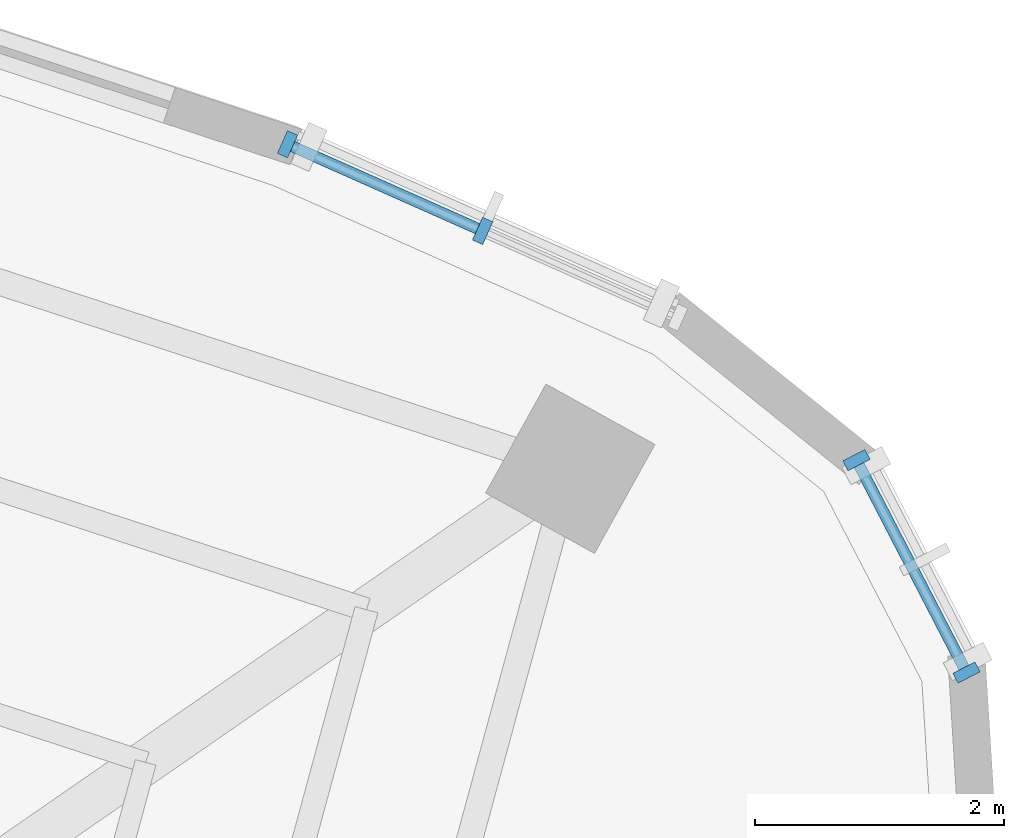
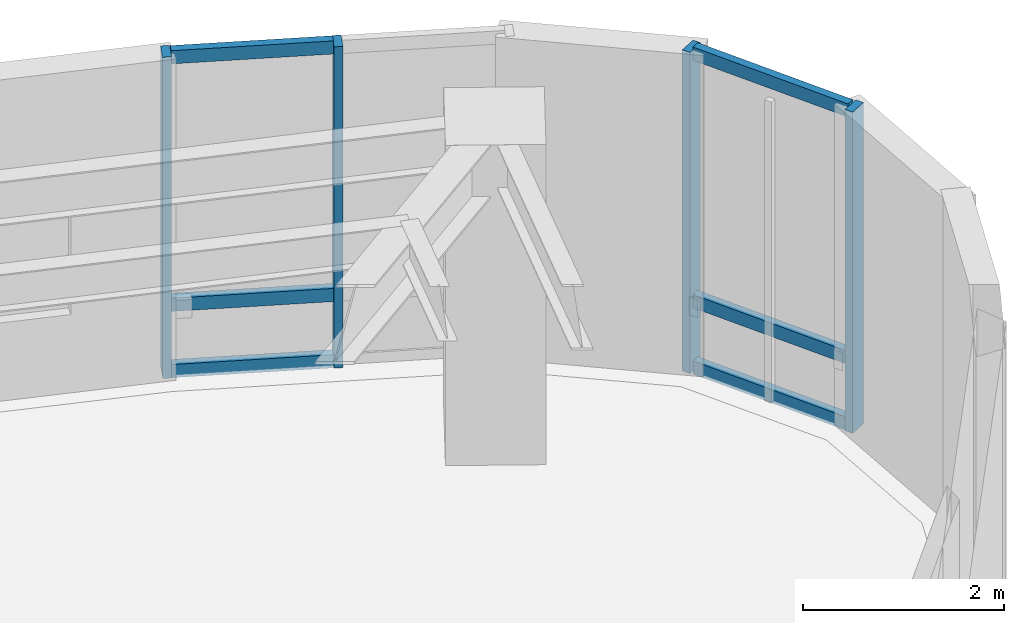
# One storey, part 6 of 15: 10 members, 2 elements without a shape of their own.
"""IFC4 building model written with IfcOpenShell, lengths in metres."""

from ifc_helpers import new_model, si_unit, direction, frame, origin, origin_2d, place, context, subcontext, project, spatial, rectangle, extrude, material, layer, layer_set, material_profile, profile_set, type_object, element, aggregate, save


model = new_model("IFC4")

# Units and contexts
model_context = context("Model", 3, precision=1e-05, world=origin(), true_north=direction((0.0, 1.0)))
body_context = subcontext(model_context, "Body", "Model", "MODEL_VIEW")
ifc_project = project(units=[si_unit("LENGTHUNIT", "METRE"), si_unit("AREAUNIT", "SQUARE_METRE"), si_unit("VOLUMEUNIT", "CUBIC_METRE"), si_unit("PLANEANGLEUNIT", "RADIAN"), si_unit("MASSUNIT", "GRAM", prefix="KILO")], contexts=[model_context])

# Site, building, storey
site_placement = place(None, origin())
site = spatial("IfcSite", under=ifc_project, at=site_placement, CompositionType="ELEMENT")
building_placement = place(site_placement, origin())
building = spatial("IfcBuilding", under=site, at=building_placement, Name="Korentha Bioscience Tower", CompositionType="ELEMENT")
storey_placement = place(building_placement, frame((0.0, 0.0, 226.800048828125)))
storey = spatial("IfcBuildingStorey", under=building, at=storey_placement, Name="L52", CompositionType="ELEMENT", Elevation=226.800048828125)

# Curtain wall, members
ifc_material_1 = material(Name="Thermally Broken Aluminium Frame", Category="aluminium")
ifc_layer = layer(ifc_material_1, 0.219970703125, Name="Thermally Broken Aluminium Frame")
ifc_layer_set = layer_set([ifc_layer], Name="Thermally Broken Aluminium Frame (CW-T2)")
curtain_wall_type = type_object("IfcCurtainWallType", Name="Solar-Screened Lab Unitised Curtain Wall CW-T2", PredefinedType="USERDEFINED", material=ifc_layer_set)
curtain_wall_1_placement = place(storey_placement, origin())
curtain_wall_1 = element("IfcCurtainWall", 1, at=curtain_wall_1_placement, inside=storey, type_object=curtain_wall_type, Name="L52 Curtain Wall 01", ObjectType="UNITISED", PredefinedType="USERDEFINED")
ifc_material_2 = material(Name="Anodised Aluminium 6063-T6", Category="aluminium")
ifc_material_profile_1 = material_profile(ifc_material_2, rectangle(XDim=0.090087890625, YDim=0.199951171875, at=origin_2d()), Name="Anodised Aluminium 6063-T6")
ifc_profile_set_1 = profile_set([ifc_material_profile_1], Name="Anodised Aluminium 6063-T6 (CW-MUL)")
member_type_1 = type_object("IfcMemberType", Name="Mullion RECT 90x200", PredefinedType="MULLION", material=ifc_profile_set_1)
member_1_placement = place(storey_placement, frame((49.471923828125, 46.49072265625, 0.0), z_axis=(0.0, 0.0, 1.0), x_axis=(-0.913943941578, 0.405840450983, 0.0)))
member_1 = element("IfcMember", 2, at=member_1_placement, type_object=member_type_1, Name="CW-L52-01 Mullion 2", PredefinedType="MULLION", context=body_context, shape_type="SweptSolid", body=[
    extrude(rectangle(XDim=0.090087890625, YDim=0.199951171875, at=origin_2d()), origin(), (0.0, 0.0, 1.0), 3.89990234375),
])
member_2_placement = place(storey_placement, frame((47.9052734375, 47.186279296875, 0.0), z_axis=(0.0, 0.0, 1.0), x_axis=(-0.913943941578, 0.405840450983, 0.0)))
member_2 = element("IfcMember", 3, at=member_2_placement, type_object=member_type_1, Name="CW-L52-01 Mullion 3", PredefinedType="MULLION", context=body_context, shape_type="SweptSolid", body=[
    extrude(rectangle(XDim=0.090087890625, YDim=0.199951171875, at=origin_2d()), origin(), (0.0, 0.0, 1.0), 3.89990234375),
])

curtain_wall_2_placement = place(storey_placement, origin())
curtain_wall_2 = element("IfcCurtainWall", 4, at=curtain_wall_2_placement, inside=storey, type_object=curtain_wall_type, Name="L52 Curtain Wall 61", ObjectType="UNITISED", PredefinedType="USERDEFINED")
member_3_placement = place(storey_placement, frame((53.356689453125, 42.9443359375, 0.0), z_axis=(0.0, 0.0, 1.0), x_axis=(-0.459738031963, 0.888054582763, 0.0)))
member_3 = element("IfcMember", 5, at=member_3_placement, type_object=member_type_1, Name="CW-L52-61 Mullion 1", PredefinedType="MULLION", context=body_context, shape_type="SweptSolid", body=[
    extrude(rectangle(XDim=0.090087890625, YDim=0.199951171875, at=origin_2d()), origin(), (0.0, 0.0, 1.0), 3.89990234375),
])
member_4_placement = place(storey_placement, frame((52.473388671875, 44.650390625, 0.0), z_axis=(0.0, 0.0, 1.0), x_axis=(-0.459738031963, 0.888054582763, 0.0)))
member_4 = element("IfcMember", 6, at=member_4_placement, type_object=member_type_1, Name="CW-L52-61 Mullion 2", PredefinedType="MULLION", context=body_context, shape_type="SweptSolid", body=[
    extrude(rectangle(XDim=0.090087890625, YDim=0.199951171875, at=origin_2d()), origin(), (0.0, 0.0, 1.0), 3.89990234375),
])

# Member
ifc_material_profile_2 = material_profile(ifc_material_2, rectangle(XDim=0.090087890625, YDim=0.159912109375, at=origin_2d()), Name="Anodised Aluminium 6063-T6")
ifc_profile_set_2 = profile_set([ifc_material_profile_2], Name="Anodised Aluminium 6063-T6 (CW-TRN)")
member_type_2 = type_object("IfcMemberType", Name="Transom RECT 90x160", PredefinedType="USERDEFINED", material=ifc_profile_set_2)
member_5_placement = place(storey_placement, frame((49.430908203125, 46.509033203125, 0.044921875), z_axis=(-0.913935479932, 0.405859505891, 0.0), x_axis=(-0.405859505891, -0.913935479932, 0.0)))
member_5 = element("IfcMember", 7, at=member_5_placement, type_object=member_type_2, Name="CW-L52-01 Bay 2 Transom 1", ObjectType="TRANSOM", PredefinedType="USERDEFINED", context=body_context, shape_type="SweptSolid", body=[
    extrude(rectangle(XDim=0.090087890625, YDim=0.159912109375, at=origin_2d()), origin(), (0.0, 0.0, 1.0), 1.624267578125),
])

member_6_placement = place(storey_placement, frame((49.430908203125, 46.509033203125, 0.849853515625), z_axis=(-0.913935479932, 0.405859505891, 0.0), x_axis=(-0.405859505891, -0.913935479932, 0.0)))
member_6 = element("IfcMember", 8, at=member_6_placement, type_object=member_type_2, Name="CW-L52-01 Bay 2 Transom 2", ObjectType="TRANSOM", PredefinedType="USERDEFINED", context=body_context, shape_type="SweptSolid", body=[
    extrude(rectangle(XDim=0.090087890625, YDim=0.159912109375, at=origin_2d()), origin(), (0.0, 0.0, 1.0), 1.624267578125),
])

member_7_placement = place(storey_placement, frame((49.430908203125, 46.509033203125, 3.85498046875), z_axis=(-0.913935479932, 0.405859505891, 0.0), x_axis=(-0.405859505891, -0.913935479932, 0.0)))
member_7 = element("IfcMember", 9, at=member_7_placement, type_object=member_type_2, Name="CW-L52-01 Bay 2 Transom 3", ObjectType="TRANSOM", PredefinedType="USERDEFINED", context=body_context, shape_type="SweptSolid", body=[
    extrude(rectangle(XDim=0.090087890625, YDim=0.159912109375, at=origin_2d()), origin(), (0.0, 0.0, 1.0), 1.624267578125),
])

aggregate(curtain_wall_1, [member_1, member_2, member_5, member_6, member_7])

member_8_placement = place(storey_placement, frame((53.3359375, 42.984130859375, 0.044921875), z_axis=(-0.459752886798, 0.888046892389, 0.0), x_axis=(-0.888046892389, -0.459752886798, 0.0)))
member_8 = element("IfcMember", 10, at=member_8_placement, type_object=member_type_2, Name="CW-L52-61 Bay 1 Transom 1", ObjectType="TRANSOM", PredefinedType="USERDEFINED", context=body_context, shape_type="SweptSolid", body=[
    extrude(rectangle(XDim=0.090087890625, YDim=0.159912109375, at=origin_2d()), origin(), (0.0, 0.0, 1.0), 1.83154296875),
])

member_9_placement = place(storey_placement, frame((53.3359375, 42.984130859375, 0.849853515625), z_axis=(-0.459752886798, 0.888046892389, 0.0), x_axis=(-0.888046892389, -0.459752886798, 0.0)))
member_9 = element("IfcMember", 11, at=member_9_placement, type_object=member_type_2, Name="CW-L52-61 Bay 1 Transom 2", ObjectType="TRANSOM", PredefinedType="USERDEFINED", context=body_context, shape_type="SweptSolid", body=[
    extrude(rectangle(XDim=0.090087890625, YDim=0.159912109375, at=origin_2d()), origin(), (0.0, 0.0, 1.0), 1.83154296875),
])

member_10_placement = place(storey_placement, frame((53.3359375, 42.984130859375, 3.85498046875), z_axis=(-0.459752886798, 0.888046892389, 0.0), x_axis=(-0.888046892389, -0.459752886798, 0.0)))
member_10 = element("IfcMember", 12, at=member_10_placement, type_object=member_type_2, Name="CW-L52-61 Bay 1 Transom 3", ObjectType="TRANSOM", PredefinedType="USERDEFINED", context=body_context, shape_type="SweptSolid", body=[
    extrude(rectangle(XDim=0.090087890625, YDim=0.159912109375, at=origin_2d()), origin(), (0.0, 0.0, 1.0), 1.83154296875),
])

aggregate(curtain_wall_2, [member_3, member_4, member_8, member_9, member_10])

save(model, "model.ifc")
